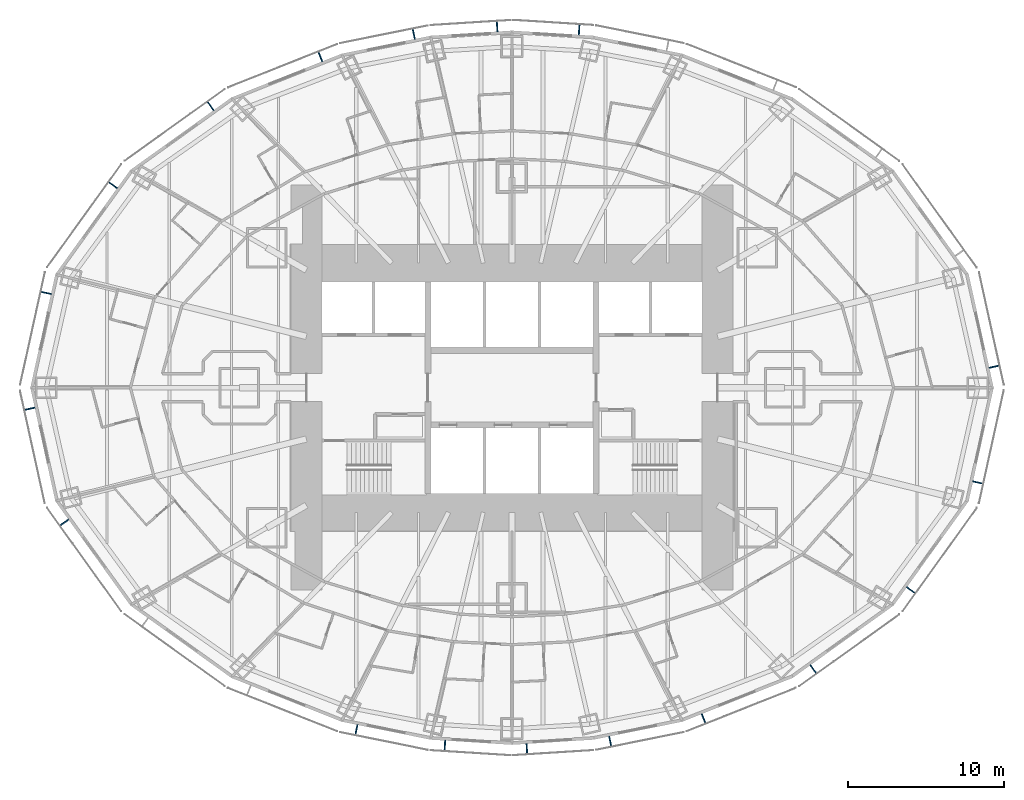
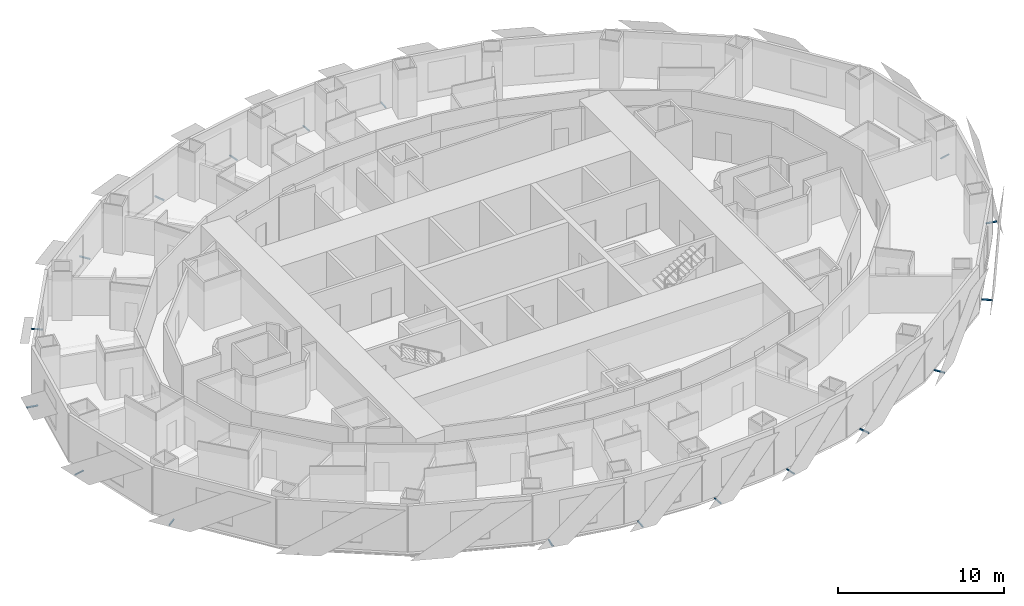
# One storey, part 11 of 15: 18 discrete accessories.
"""IFC4 building model written with IfcOpenShell, lengths in metres."""

from ifc_helpers import new_model, si_unit, direction, frame, origin, origin_2d, place, context, subcontext, project, spatial, rectangle, extrude, element, save


model = new_model("IFC4")

# Units and contexts
model_context = context("Model", 3, precision=1e-05, world=origin(), true_north=direction((0.0, 1.0)))
body_context = subcontext(model_context, "Body", "Model", "MODEL_VIEW")
ifc_project = project(units=[si_unit("LENGTHUNIT", "METRE"), si_unit("AREAUNIT", "SQUARE_METRE"), si_unit("VOLUMEUNIT", "CUBIC_METRE"), si_unit("PLANEANGLEUNIT", "RADIAN"), si_unit("MASSUNIT", "GRAM", prefix="KILO")], contexts=[model_context])

# Site, building, storey
site_placement = place(None, origin())
site = spatial("IfcSite", under=ifc_project, at=site_placement, CompositionType="ELEMENT")
building_placement = place(site_placement, origin())
building = spatial("IfcBuilding", under=site, at=building_placement, Name="Lantaw Convention Tower", CompositionType="ELEMENT")
storey_placement = place(building_placement, frame((0.0, 0.0, 65.800048828125)))
storey = spatial("IfcBuildingStorey", under=building, at=storey_placement, Name="L14", CompositionType="ELEMENT", Elevation=65.800048828125)

# Discrete accessories
for number, where, z_axis, x_axis, name in (
    (1, (30.967529296875, 1.35009765625, -0.114990234375), (0.0, 0.0, 1.0), (-0.215246056391, 0.976559847223, 0.0), "Screen bracket"),
    (2, (4.310302734375, 22.987548828125, -0.114990234375), (0.0, 0.0, 1.0), (-0.998016153807, 0.062958373078, 0.0), "Screen bracket"),
    (3, (-0.9560546875, 23.19921875, -0.114990234375), (0.0, 0.0, 1.0), (-0.998016153807, -0.062958373078, 0.0), "Screen bracket"),
    (4, (-6.307861328125, 22.71728515625, -0.114990234375), (0.0, 0.0, 1.0), (-0.980244604501, -0.197789067813, 0.0), "Screen bracket"),
    (5, (-12.309814453125, 21.25732421875, -0.114990234375), (0.0, 0.0, 1.0), (-0.929361152748, -0.369171840425, 0.0), "Screen bracket"),
    (6, (-19.352294921875, 18.085205078125, -0.114990234375), (0.0, 0.0, 1.0), (-0.812803733199, -0.5825376308, 0.0), "Screen bracket"),
    (7, (-25.61962890625, 13.004638671875, -0.114990234375), (0.0, 0.0, 1.0), (-0.583951250436, -0.811788726895, 0.0), "Screen bracket"),
    (8, (-29.92333984375, 6.087890625, -0.114990234375), (0.0, 0.0, 1.0), (-0.215246056391, -0.976559847223, 0.0), "Screen bracket"),
    (9, (-30.967529296875, -1.35009765625, -0.114990234375), (0.0, 0.0, 1.0), (0.215246056391, -0.976559847223, 0.0), "Screen bracket"),
    (10, (-28.745849609375, -8.65869140625, -0.114990234375), (0.0, 0.0, 1.0), (0.583951250436, -0.811788726895, 0.0), "Screen bracket"),
    (11, (-9.990478515625, -21.974365234375, -0.114990234375), (0.0, 0.0, 1.0), (0.980244604501, -0.197789067813, 0.0), "Screen bracket"),
    (12, (-4.310302734375, -22.987548828125, -0.114990234375), (0.0, 0.0, 1.0), (0.998016153807, -0.062958373078, 0.0), "Screen bracket"),
    (13, (0.9560546875, -23.19921875, -0.114990234375), (0.0, 0.0, 1.0), (0.998016153807, 0.062958373078, 0.0), "Screen bracket"),
    (14, (6.307861328125, -22.71728515625, -0.114990234375), (0.0, 0.0, 1.0), (0.980244604501, 0.197789067813, 0.0), "Screen bracket"),
    (15, (12.309814453125, -21.25732421875, -0.114990234375), (0.0, 0.0, 1.0), (0.929361152748, 0.369171840425, 0.0), "Screen bracket"),
    (16, (19.352294921875, -18.085205078125, -0.114990234375), (0.0, 0.0, 1.0), (0.812803733199, 0.5825376308, 0.0), "Screen bracket"),
    (17, (25.61962890625, -13.004638671875, -0.114990234375), (0.0, 0.0, 1.0), (0.583951250436, 0.811788726895, 0.0), "Screen bracket"),
    (18, (29.92333984375, -6.087890625, -0.114990234375), (0.0, 0.0, 1.0), (0.215246056391, 0.976559847223, 0.0), "Screen bracket"),
):
    element("IfcDiscreteAccessory", number, at=place(storey_placement, frame(where, z_axis=z_axis, x_axis=x_axis)), inside=storey, Name=name, PredefinedType="BRACKET", context=body_context, shape_type="SweptSolid", body=[
        extrude(rectangle(XDim=0.080078125, YDim=0.68798828125, at=origin_2d()), origin(), (0.0, 0.0, 1.0), 0.080078125),
    ])

save(model, "model.ifc")
